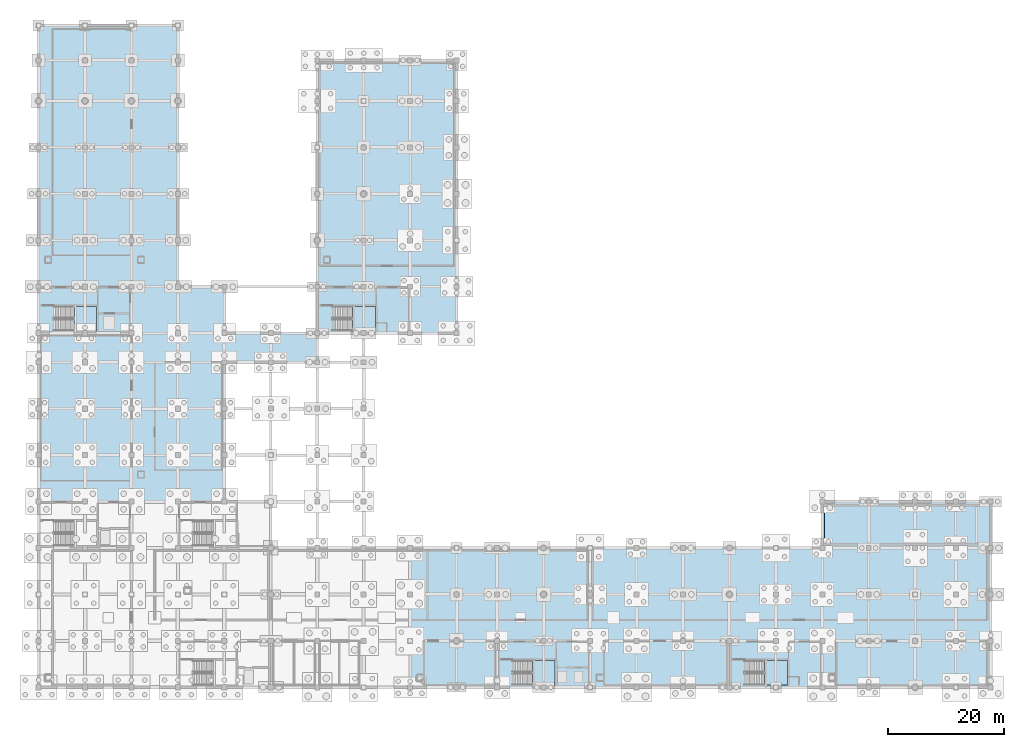
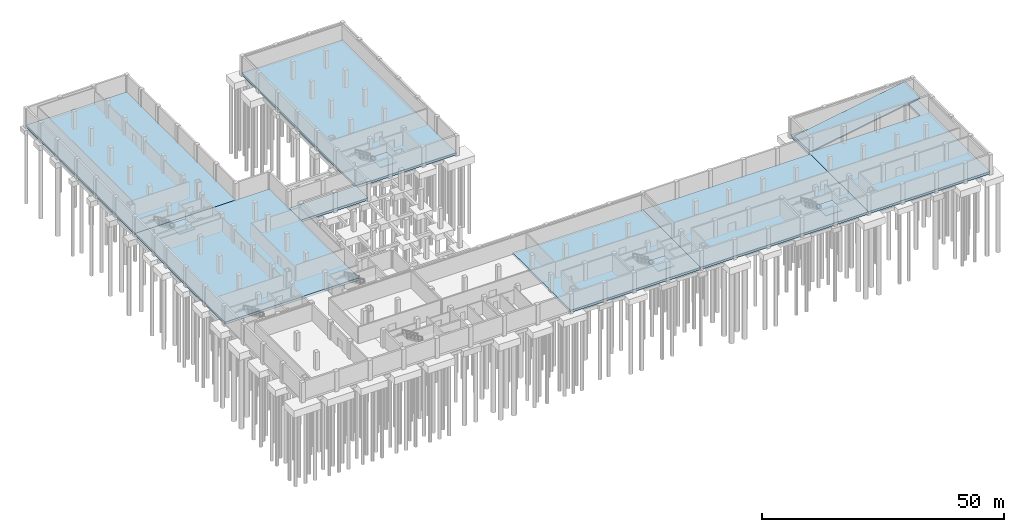
# One storey, part 11 of 26: 12 slabs, 4 elements without a shape of their own.
"""IFC4 building model written with IfcOpenShell, lengths in metres."""

from ifc_helpers import new_model, si_unit, direction, frame, origin, place, context, subcontext, project, spatial, polyline, outline, extrude, material, layer, layer_set, type_object, element, aggregate, save


model = new_model("IFC4")

# Units and contexts
model_context = context("Model", 3, precision=1e-05, world=origin(), true_north=direction((0.0, 1.0)))
body_context = subcontext(model_context, "Body", "Model", "MODEL_VIEW")
ifc_project = project(units=[si_unit("LENGTHUNIT", "METRE"), si_unit("AREAUNIT", "SQUARE_METRE"), si_unit("VOLUMEUNIT", "CUBIC_METRE"), si_unit("PLANEANGLEUNIT", "RADIAN"), si_unit("MASSUNIT", "GRAM", prefix="KILO")], contexts=[model_context])

# Site, building, storey
site_placement = place(None, origin())
site = spatial("IfcSite", under=ifc_project, at=site_placement, CompositionType="ELEMENT")
building_placement = place(site_placement, origin())
building = spatial("IfcBuilding", under=site, at=building_placement, Name="Qorikala Patio Media Centre", CompositionType="ELEMENT")
storey_placement = place(building_placement, frame((0.0, 0.0, -4.5)))
storey = spatial("IfcBuildingStorey", under=building, at=storey_placement, Name="B1", CompositionType="ELEMENT", Elevation=-4.5)

# Slabs
ifc_material_1 = material(Name="Concrete C30/37", Category="concrete")
ifc_layer_1 = layer(ifc_material_1, 0.60009765625)
ifc_layer_set_1 = layer_set([ifc_layer_1], Name="Concrete C30/37")
slab_type_1 = type_object("IfcSlabType", Name="SL-BASE-600", PredefinedType="BASESLAB", material=ifc_layer_set_1)
slab_1_placement = place(storey_placement, frame((0.0, 0.0, -0.60009765625)))
element("IfcSlab", 1, at=slab_1_placement, inside=storey, type_object=slab_type_1, Name="B1 V2B Slab 4.1", PredefinedType="BASESLAB", context=body_context, shape_type="SweptSolid", body=[
    extrude(outline(polyline([(98.0, 3.0), (67.0, 3.0), (67.0, 27.0), (98.0, 27.0), (98.0, 3.0)])), origin(), (0.0, 0.0, 1.0), 0.60009765625),
])
slab_2_placement = place(storey_placement, frame((0.0, 0.0, -0.60009765625)))
element("IfcSlab", 2, at=slab_2_placement, inside=storey, type_object=slab_type_1, Name="B1 V3 Slab 5.1", PredefinedType="BASESLAB", context=body_context, shape_type="SweptSolid", body=[
    extrude(outline(polyline([(35.0, 72.0), (35.0, 35.0), (27.0, 35.0), (3.0, 35.0), (3.0, 72.0), (35.0, 72.0)])), origin(), (0.0, 0.0, 1.0), 0.60009765625),
])
slab_3_placement = place(storey_placement, frame((0.0, 0.0, -0.60009765625)))
element("IfcSlab", 3, at=slab_3_placement, inside=storey, type_object=slab_type_1, Name="B1 V4 Slab 6.1", PredefinedType="BASESLAB", context=body_context, shape_type="SweptSolid", body=[
    extrude(outline(polyline([(27.0, 117.0), (27.0, 72.0), (3.0, 72.0), (3.0, 117.0), (27.0, 117.0)])), origin(), (0.0, 0.0, 1.0), 0.60009765625),
])
slab_4_placement = place(storey_placement, frame((0.0, 0.0, -0.60009765625)))
element("IfcSlab", 4, at=slab_4_placement, inside=storey, type_object=slab_type_1, Name="B1 V5 Slab 7.1", PredefinedType="BASESLAB", context=body_context, shape_type="SweptSolid", body=[
    extrude(outline(polyline([(51.0, 111.0), (75.0, 111.0), (75.0, 64.0), (51.0, 64.0), (51.0, 111.0)])), origin(), (0.0, 0.0, 1.0), 0.60009765625),
])
slab_5_placement = place(storey_placement, frame((0.0, 0.0, -0.60009765625)))
element("IfcSlab", 5, at=slab_5_placement, inside=storey, type_object=slab_type_1, Name="B1 V7A Slab 8.1", PredefinedType="BASESLAB", context=body_context, shape_type="SweptSolid", body=[
    extrude(outline(polyline([(138.0, 3.0), (98.0, 3.0), (98.0, 27.0), (138.0, 27.0), (138.0, 3.0)])), origin(), (0.0, 0.0, 1.0), 0.60009765625),
])
slab_6_placement = place(storey_placement, frame((0.0, 0.0, -0.60009765625)))
element("IfcSlab", 6, at=slab_6_placement, inside=storey, type_object=slab_type_1, Name="B1 V7B Slab 9.1", PredefinedType="BASESLAB", context=body_context, shape_type="SweptSolid", body=[
    extrude(outline(polyline([(167.0, 35.0), (167.0, 3.0), (138.0, 3.0), (138.0, 27.0), (138.0, 35.0), (167.0, 35.0)]), holes=[polyline([(164.60009765625, 34.2900390625), (138.409912109375, 34.2900390625), (138.409912109375, 27.7099609375), (164.60009765625, 27.7099609375), (164.60009765625, 34.2900390625)])]), origin(), (0.0, 0.0, 1.0), 0.60009765625),
])
slab_7_placement = place(storey_placement, frame((0.0, 0.0, -0.60009765625)))
element("IfcSlab", 7, at=slab_7_placement, inside=storey, type_object=slab_type_1, Name="B1 B1_LINK Slab 10.1", PredefinedType="BASESLAB", context=body_context, shape_type="SweptSolid", body=[
    extrude(outline(polyline([(35.0, 59.0), (35.0, 64.0), (51.0, 64.0), (51.0, 59.0), (35.0, 59.0)])), origin(), (0.0, 0.0, 1.0), 0.60009765625),
])

# Stair, slab
ifc_material_2 = material(Name="Precast concrete C40/50", Category="concrete")
stair_type = type_object("IfcStairType", Name="ST-DL-26R173W200", PredefinedType="HALF_TURN_STAIR", material=ifc_material_2)
stair_1_placement = place(storey_placement, origin())
stair_1 = element("IfcStair", 8, at=stair_1_placement, inside=storey, type_object=stair_type, Name="B1 Core C3 Exit Stair ST-3", PredefinedType="HALF_TURN_STAIR")
ifc_layer_2 = layer(ifc_material_2, 0.199951171875)
ifc_layer_set_2 = layer_set([ifc_layer_2], Name="Precast concrete C40/50")
slab_type_2 = type_object("IfcSlabType", Name="SL-LAND-200", PredefinedType="LANDING", material=ifc_layer_set_2)
slab_8_placement = place(storey_placement, frame((0.0, 0.0, 2.050048828125)))
slab_8 = element("IfcSlab", 9, at=slab_8_placement, type_object=slab_type_2, Name="ST-3 landing 1", PredefinedType="LANDING", context=body_context, shape_type="SweptSolid", body=[
    extrude(outline(polyline([(9.080078125, 64.39990234375), (13.0, 64.39990234375), (13.0, 68.60009765625), (9.080078125, 68.60009765625), (9.080078125, 64.39990234375)])), origin(), (0.0, 0.0, 1.0), 0.199951171875),
])
aggregate(stair_1, [slab_8])

stair_2_placement = place(storey_placement, origin())
stair_2 = element("IfcStair", 10, at=stair_2_placement, inside=storey, type_object=stair_type, Name="B1 Core C4 Exit Stair ST-4", PredefinedType="HALF_TURN_STAIR")
slab_9_placement = place(storey_placement, frame((0.0, 0.0, 2.050048828125)))
slab_9 = element("IfcSlab", 11, at=slab_9_placement, type_object=slab_type_2, Name="ST-4 landing 1", PredefinedType="LANDING", context=body_context, shape_type="SweptSolid", body=[
    extrude(outline(polyline([(88.080078125, 3.39990234375), (92.0, 3.39990234375), (92.0, 7.60009765625), (88.080078125, 7.60009765625), (88.080078125, 3.39990234375)])), origin(), (0.0, 0.0, 1.0), 0.199951171875),
])
aggregate(stair_2, [slab_9])

stair_3_placement = place(storey_placement, origin())
stair_3 = element("IfcStair", 12, at=stair_3_placement, inside=storey, type_object=stair_type, Name="B1 Core C6 Exit Stair ST-6", PredefinedType="HALF_TURN_STAIR")
slab_10_placement = place(storey_placement, frame((0.0, 0.0, 2.050048828125)))
slab_10 = element("IfcSlab", 13, at=slab_10_placement, type_object=slab_type_2, Name="ST-6 landing 1", PredefinedType="LANDING", context=body_context, shape_type="SweptSolid", body=[
    extrude(outline(polyline([(57.080078125, 64.39990234375), (61.0, 64.39990234375), (61.0, 68.60009765625), (57.080078125, 68.60009765625), (57.080078125, 64.39990234375)])), origin(), (0.0, 0.0, 1.0), 0.199951171875),
])
aggregate(stair_3, [slab_10])

stair_4_placement = place(storey_placement, origin())
stair_4 = element("IfcStair", 14, at=stair_4_placement, inside=storey, type_object=stair_type, Name="B1 Core C7 Exit Stair ST-7", PredefinedType="HALF_TURN_STAIR")
slab_11_placement = place(storey_placement, frame((0.0, 0.0, 2.050048828125)))
slab_11 = element("IfcSlab", 15, at=slab_11_placement, type_object=slab_type_2, Name="ST-7 landing 1", PredefinedType="LANDING", context=body_context, shape_type="SweptSolid", body=[
    extrude(outline(polyline([(128.080078125, 3.39990234375), (132.0, 3.39990234375), (132.0, 7.60009765625), (128.080078125, 7.60009765625), (128.080078125, 3.39990234375)])), origin(), (0.0, 0.0, 1.0), 0.199951171875),
])
aggregate(stair_4, [slab_11])

# Slab
ifc_layer_3 = layer(ifc_material_1, 0.300048828125)
ifc_layer_set_3 = layer_set([ifc_layer_3], Name="Concrete C30/37")
slab_type_3 = type_object("IfcSlabType", Name="SL-RAMP-300", PredefinedType="FLOOR", material=ifc_layer_set_3)
slab_12_placement = place(storey_placement, frame((138.39990234375, 27.699951171875, 0.0), z_axis=(-0.169275808237, 0.0, 0.985568719444), x_axis=(0.985568719444, 0.0, 0.169275808237)))
element("IfcSlab", 16, at=slab_12_placement, inside=storey, type_object=slab_type_3, Name="Basement Two-Way Vehicle Ramp Slab SVR-300", PredefinedType="FLOOR", context=body_context, shape_type="SweptSolid", body=[
    extrude(outline(polyline([(0.0, 0.0), (26.58383408037951, 0.0), (26.58383408037951, 6.600097656250002), (0.0, 6.600097656250002), (0.0, 0.0)])), origin(), (0.0, 0.0, -1.0), 0.300048828125),
])

save(model, "model.ifc")
